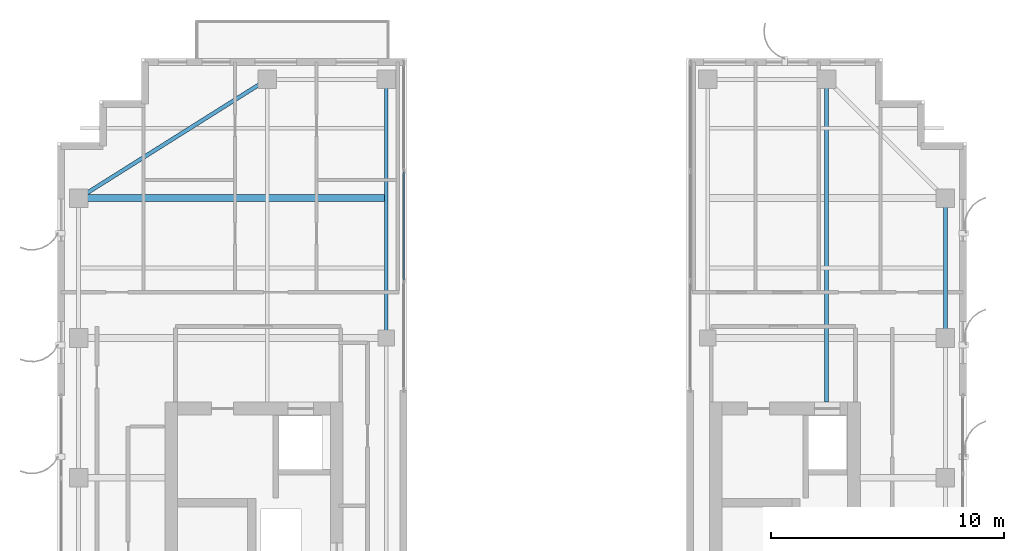
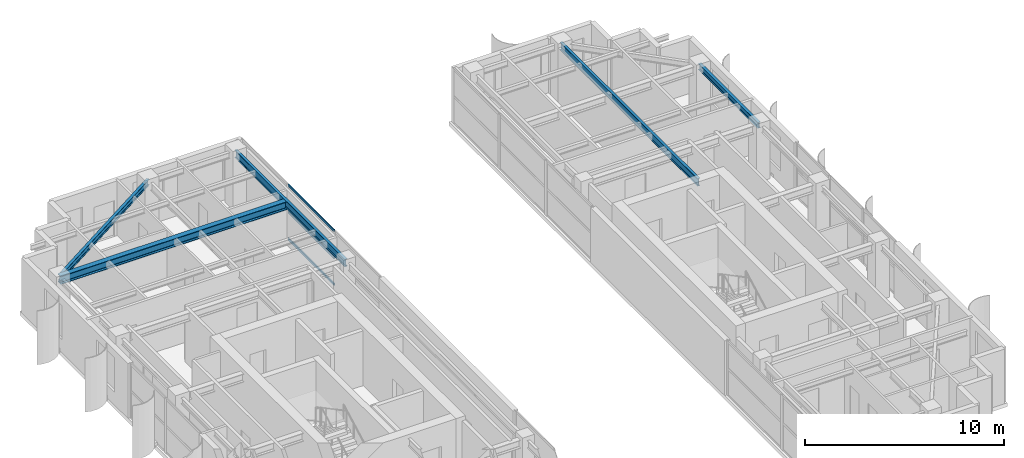
# One storey, part 13 of 23: 5 beams, 3 members, 1 element without a shape of its own.
"""IFC4 building model written with IfcOpenShell, lengths in metres."""

from ifc_helpers import new_model, si_unit, direction, frame, origin, origin_2d, place, context, subcontext, project, spatial, hollow_rectangle, i_section, extrude, source, transform, mapped, material, layer, layer_set, material_profile, profile_set, type_object, element, aggregate, save


model = new_model("IFC4")

# Units and contexts
model_context = context("Model", 3, precision=1e-05, world=origin(), true_north=direction((0.0, 1.0)))
body_context = subcontext(model_context, "Body", "Model", "MODEL_VIEW")
ifc_project = project(units=[si_unit("LENGTHUNIT", "METRE"), si_unit("AREAUNIT", "SQUARE_METRE"), si_unit("VOLUMEUNIT", "CUBIC_METRE"), si_unit("PLANEANGLEUNIT", "RADIAN"), si_unit("MASSUNIT", "GRAM", prefix="KILO")], contexts=[model_context])

# Site, building, storey
site_placement = place(None, origin())
site = spatial("IfcSite", under=ifc_project, at=site_placement, CompositionType="ELEMENT")
building_placement = place(site_placement, origin())
building = spatial("IfcBuilding", under=site, at=building_placement, Name="Khoralis Quay Care Tower", CompositionType="ELEMENT")
storey_placement = place(building_placement, frame((0.0, 0.0, 245.699951171875)))
storey = spatial("IfcBuildingStorey", under=building, at=storey_placement, Name="L64", CompositionType="ELEMENT", Elevation=245.699951171875)

# Beams
ifc_material_1 = material(Name="Steel S355", Category="steel")
ifc_material_profile_1 = material_profile(ifc_material_1, i_section(OverallWidth=0.169921875, OverallDepth=0.360107421875, WebThickness=0.008056640625, FlangeThickness=0.0126953125, FilletRadius=0.01806640625, at=origin_2d()), Name="Steel S355")
ifc_profile_set_1 = profile_set([ifc_material_profile_1], Name="Steel S355")
beam_type_1 = type_object("IfcBeamType", Name="BM-IPE360", PredefinedType="SPANDREL", material=ifc_profile_set_1)
shared_shape_1 = source(origin(), body_context, "Body", "SweptSolid", [
    extrude(i_section(OverallWidth=0.169921875, OverallDepth=0.360107421875, WebThickness=0.008056640625, FlangeThickness=0.0126953125, FilletRadius=0.01806640625, at=origin_2d()), origin(), (0.0, 0.0, 1.0), 6.0),
])
beam_1_placement = place(storey_placement, frame((41.10009765625, 30.0, 3.179931640625), z_axis=(0.0, 1.0, 0.0), x_axis=(-1.0, 0.0, 0.0)))
element("IfcBeam", 1, at=beam_1_placement, inside=storey, type_object=beam_type_1, Name="BM-TSP-L64-12", PredefinedType="SPANDREL", context=body_context, shape_type="MappedRepresentation", body=[
    mapped(shared_shape_1, transform((0.0, 0.0, 0.0), scale=1.0)),
])
shared_shape_2 = source(origin(), body_context, "Body", "SweptSolid", [
    extrude(i_section(OverallWidth=0.169921875, OverallDepth=0.360107421875, WebThickness=0.008056640625, FlangeThickness=0.0126953125, FilletRadius=0.01806640625, at=origin_2d()), origin(), (0.0, 0.0, 1.0), 9.572021484375),
])
beam_2_placement = place(storey_placement, frame((12.0, 41.10009765625, 3.179931640625), z_axis=(-0.846231136359, -0.532815975602, 0.0), x_axis=(0.532815975602, -0.846231136359, 0.0)))
element("IfcBeam", 2, at=beam_2_placement, inside=storey, type_object=beam_type_1, Name="BM-TCR-L64-15", PredefinedType="SPANDREL", context=body_context, shape_type="MappedRepresentation", body=[
    mapped(shared_shape_2, transform((0.0, 0.0, 0.0), scale=1.0)),
])
ifc_material_profile_2 = material_profile(ifc_material_1, i_section(OverallWidth=0.300048828125, OverallDepth=0.5, WebThickness=0.014404296875, FlangeThickness=0.028076171875, FilletRadius=0.027099609375, at=origin_2d()), Name="Steel S355")
ifc_profile_set_2 = profile_set([ifc_material_profile_2], Name="Steel S355")
beam_type_2 = type_object("IfcBeamType", Name="BM-HEB500", PredefinedType="BEAM", material=ifc_profile_set_2)
shared_shape_3 = source(origin(), body_context, "Body", "SweptSolid", [
    extrude(i_section(OverallWidth=0.300048828125, OverallDepth=0.5, WebThickness=0.014404296875, FlangeThickness=0.028076171875, FilletRadius=0.027099609375, at=origin_2d()), origin(), (0.0, 0.0, 1.0), 13.135009765625),
])
beam_3_placement = place(storey_placement, frame((3.89990234375, 36.0, 3.110107421875), z_axis=(1.0, 0.0, 0.0), x_axis=(0.0, 1.0, 0.0)))
element("IfcBeam", 3, at=beam_3_placement, inside=storey, type_object=beam_type_2, Name="BM-TGXW-L64-360", PredefinedType="BEAM", context=body_context, shape_type="MappedRepresentation", body=[
    mapped(shared_shape_3, transform((0.0, 0.0, 0.0), scale=1.0)),
])
ifc_material_profile_3 = material_profile(ifc_material_1, i_section(OverallWidth=0.154052734375, OverallDepth=0.458984375, WebThickness=0.009033203125, FlangeThickness=0.015380859375, FilletRadius=0.014892578125, at=origin_2d()), Name="Steel S355")
ifc_profile_set_3 = profile_set([ifc_material_profile_3], Name="Steel S355")
beam_type_3 = type_object("IfcBeamType", Name="BM-W460X68", PredefinedType="BEAM", material=ifc_profile_set_3)
shared_shape_4 = source(origin(), body_context, "Body", "SweptSolid", [
    extrude(i_section(OverallWidth=0.154052734375, OverallDepth=0.458984375, WebThickness=0.009033203125, FlangeThickness=0.015380859375, FilletRadius=0.014892578125, at=origin_2d()), origin(), (0.0, 0.0, 1.0), 11.10009765625),
])
beam_4_placement = place(storey_placement, frame((17.10009765625, 30.0, 3.130615234375), z_axis=(0.0, 1.0, 0.0), x_axis=(-1.0, 0.0, 0.0)))
element("IfcBeam", 4, at=beam_4_placement, inside=storey, type_object=beam_type_3, Name="BM-TGYN-L64-171", PredefinedType="BEAM", context=body_context, shape_type="MappedRepresentation", body=[
    mapped(shared_shape_4, transform((0.0, 0.0, 0.0), scale=1.0)),
])
shared_shape_5 = source(origin(), body_context, "Body", "SweptSolid", [
    extrude(i_section(OverallWidth=0.154052734375, OverallDepth=0.458984375, WebThickness=0.009033203125, FlangeThickness=0.015380859375, FilletRadius=0.014892578125, at=origin_2d()), origin(), (0.0, 0.0, 1.0), 13.85205078125),
])
beam_5_placement = place(storey_placement, frame((36.0, 27.248046875, 3.130615234375), z_axis=(0.0, 1.0, 0.0), x_axis=(-1.0, 0.0, 0.0)))
element("IfcBeam", 5, at=beam_5_placement, inside=storey, type_object=beam_type_3, Name="BM-TGYN-L64-360", PredefinedType="BEAM", context=body_context, shape_type="MappedRepresentation", body=[
    mapped(shared_shape_5, transform((0.0, 0.0, 0.0), scale=1.0)),
])

# Curtain wall, members
ifc_material_2 = material(Name="Pale anodised aluminium", Category="aluminium")
ifc_layer = layer(ifc_material_2, 0.18994140625)
ifc_layer_set = layer_set([ifc_layer], Name="Pale anodised aluminium")
curtain_wall_type = type_object("IfcCurtainWallType", Name="CW-SYS-PORTAL", PredefinedType="NOTDEFINED", material=ifc_layer_set)
curtain_wall_placement = place(storey_placement, origin())
curtain_wall = element("IfcCurtainWall", 6, at=curtain_wall_placement, inside=storey, type_object=curtain_wall_type, Name="L64 Unitised Curtain Wall CW-VP-L64-P1-N", PredefinedType="NOTDEFINED")
ifc_material_profile_4 = material_profile(ifc_material_2, hollow_rectangle(XDim=0.06005859375, YDim=0.139892578125, WallThickness=0.00390625, at=origin_2d()), Name="Pale anodised aluminium")
ifc_profile_set_4 = profile_set([ifc_material_profile_4], Name="Pale anodised aluminium")
member_type = type_object("IfcMemberType", Name="CW-TRN-140", PredefinedType="USERDEFINED", material=ifc_profile_set_4)
shared_shape_6 = source(origin(), body_context, "Body", "SweptSolid", [
    extrude(hollow_rectangle(XDim=0.06005859375, YDim=0.139892578125, WallThickness=0.00390625, at=origin_2d()), origin(), (0.0, 0.0, 1.0), 4.64013671875),
])
member_1_placement = place(storey_placement, frame((17.85009765625, 32.47998046875, 0.030029296875), z_axis=(0.0, 1.0, 0.0), x_axis=(-1.0, 0.0, 0.0)))
member_1 = element("IfcMember", 7, at=member_1_placement, type_object=member_type, Name="CW4 transom 2.1", ObjectType="TRANSOM", PredefinedType="USERDEFINED", context=body_context, shape_type="MappedRepresentation", body=[
    mapped(shared_shape_6, transform((0.0, 0.0, 0.0), scale=1.0)),
])
member_2_placement = place(storey_placement, frame((17.85009765625, 32.47998046875, 1.679931640625), z_axis=(0.0, 1.0, 0.0), x_axis=(-1.0, 0.0, 0.0)))
member_2 = element("IfcMember", 8, at=member_2_placement, type_object=member_type, Name="CW4 transom 2.2", ObjectType="TRANSOM", PredefinedType="USERDEFINED", context=body_context, shape_type="MappedRepresentation", body=[
    mapped(shared_shape_6, transform((0.0, 0.0, 0.0), scale=1.0)),
])
member_3_placement = place(storey_placement, frame((17.85009765625, 32.47998046875, 3.330078125), z_axis=(0.0, 1.0, 0.0), x_axis=(-1.0, 0.0, 0.0)))
member_3 = element("IfcMember", 9, at=member_3_placement, type_object=member_type, Name="CW4 transom 2.3", ObjectType="TRANSOM", PredefinedType="USERDEFINED", context=body_context, shape_type="MappedRepresentation", body=[
    mapped(shared_shape_6, transform((0.0, 0.0, 0.0), scale=1.0)),
])
aggregate(curtain_wall, [member_1, member_2, member_3])

save(model, "model.ifc")
